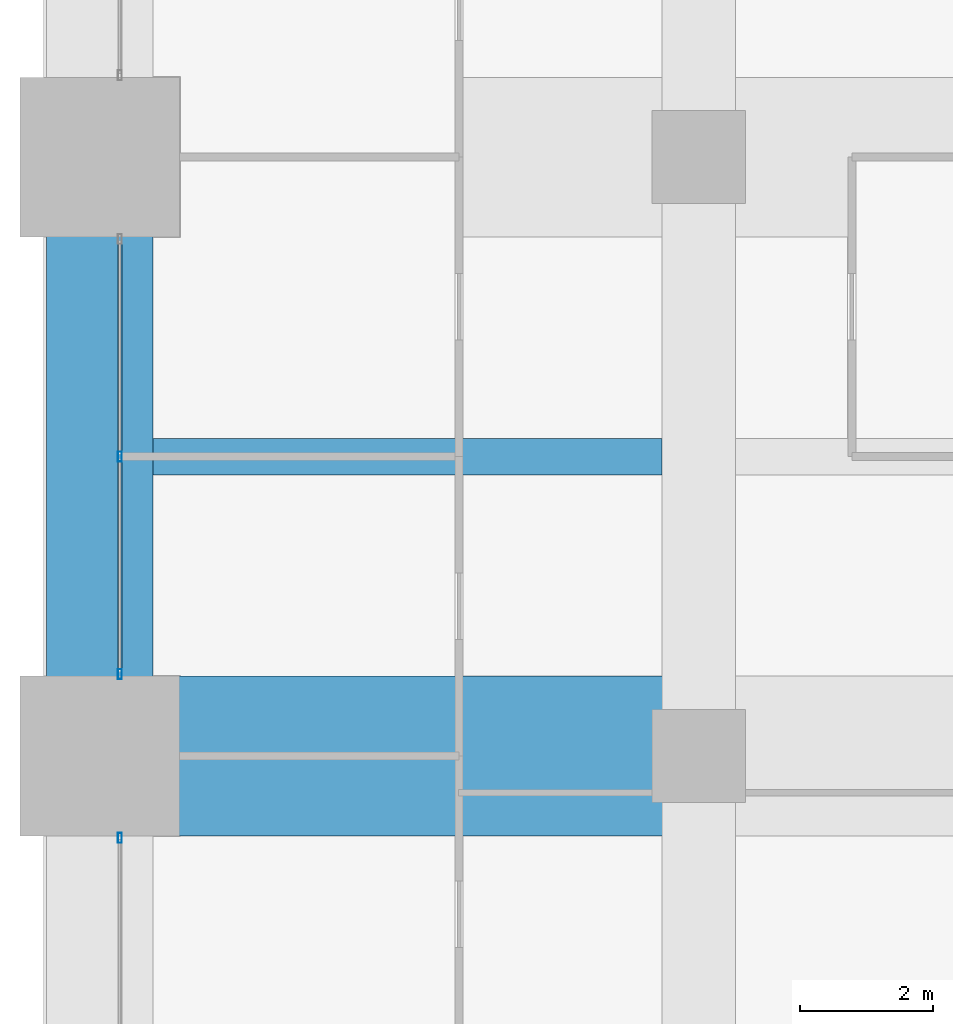
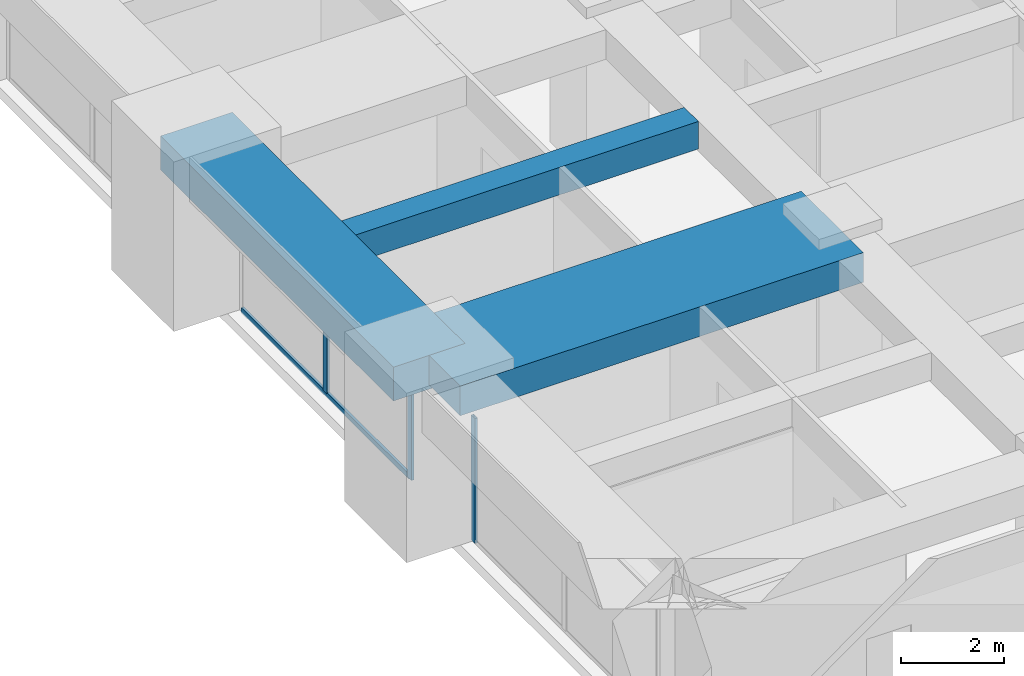
# One storey, part 9 of 35: 4 members, 3 beams, 2 elements without a shape of their own.
"""IFC4 building model written with IfcOpenShell, lengths in metres."""

from ifc_helpers import new_model, si_unit, direction, frame, origin, origin_2d, place, context, subcontext, project, spatial, rectangle, hollow_rectangle, extrude, material, material_profile, profile_set, type_object, element, aggregate, save


model = new_model("IFC4")

# Units and contexts
model_context = context("Model", 3, precision=1e-05, world=origin(), true_north=direction((0.0, 1.0)))
body_context = subcontext(model_context, "Body", "Model", "MODEL_VIEW")
ifc_project = project(units=[si_unit("LENGTHUNIT", "METRE"), si_unit("AREAUNIT", "SQUARE_METRE"), si_unit("VOLUMEUNIT", "CUBIC_METRE"), si_unit("PLANEANGLEUNIT", "RADIAN"), si_unit("MASSUNIT", "GRAM", prefix="KILO")], contexts=[model_context])

# Site, building, storey
site_placement = place(None, origin())
site = spatial("IfcSite", under=ifc_project, at=site_placement, CompositionType="ELEMENT")
building_placement = place(site_placement, origin())
building = spatial("IfcBuilding", under=site, at=building_placement, Name="Zorevar Civic Tower", CompositionType="ELEMENT")
storey_placement = place(building_placement, frame((0.0, 0.0, 218.199951171875)))
storey = spatial("IfcBuildingStorey", under=building, at=storey_placement, Name="L53", CompositionType="ELEMENT", Elevation=218.199951171875)

# Beams
ifc_material_1 = material(Name="Concrete C50/60", Category="concrete")
ifc_material_profile_1 = material_profile(ifc_material_1, rectangle(XDim=2.39990234375, YDim=0.699951171875, at=origin_2d()), Name="RC 2400x700")
ifc_profile_set_1 = profile_set([ifc_material_profile_1], Name="Concrete C50/60")
beam_type_1 = type_object("IfcBeamType", Name="Beam RC 2400x700", PredefinedType="BEAM", material=ifc_profile_set_1)
beam_1_placement = place(storey_placement, frame((0.0, 18.0, 3.400146484375), z_axis=(1.0, 0.0, 0.0), x_axis=(0.0, 1.0, 0.0)))
element("IfcBeam", 1, at=beam_1_placement, inside=storey, type_object=beam_type_1, Name="Girder L54", PredefinedType="BEAM", context=body_context, shape_type="SweptSolid", body=[
    extrude(rectangle(XDim=2.39990234375, YDim=0.699951171875, at=origin_2d()), origin(), (0.0, 0.0, 1.0), 9.0),
])
ifc_material_2 = material(Name="Concrete C50/60", Category="concrete")
ifc_material_profile_2 = material_profile(ifc_material_2, rectangle(XDim=0.550048828125, YDim=0.64990234375, at=origin_2d()), Name="RC 550x650")
ifc_profile_set_2 = profile_set([ifc_material_profile_2], Name="Concrete C50/60")
beam_type_2 = type_object("IfcBeamType", Name="Beam RC 550x650", PredefinedType="BEAM", material=ifc_profile_set_2)
beam_2_placement = place(storey_placement, frame((0.800048828125, 22.5, 3.425048828125), z_axis=(1.0, 0.0, 0.0), x_axis=(0.0, 1.0, 0.0)))
element("IfcBeam", 2, at=beam_2_placement, inside=storey, type_object=beam_type_2, Name="Secondary beam L54", PredefinedType="BEAM", context=body_context, shape_type="SweptSolid", body=[
    extrude(rectangle(XDim=0.550048828125, YDim=0.64990234375, at=origin_2d()), origin(), (0.0, 0.0, 1.0), 7.64990234375),
])

# Curtain wall, member
ifc_material_3 = material(Name="Dark grey solar-control glass in black aluminium frame", Category="aluminium")
curtain_wall_type = type_object("IfcCurtainWallType", Name="Curtain wall CW4 high zone", PredefinedType="NOTDEFINED", material=ifc_material_3)
curtain_wall_1_placement = place(storey_placement, origin())
curtain_wall_1 = element("IfcCurtainWall", 3, at=curtain_wall_1_placement, inside=storey, type_object=curtain_wall_type, Name="CW4 L53", PredefinedType="NOTDEFINED")
ifc_material_4 = material(Name="Aluminium, black anodised", Category="aluminium")
ifc_material_profile_3 = material_profile(ifc_material_4, hollow_rectangle(XDim=0.06005859375, YDim=0.14990234375, WallThickness=0.00390625, at=origin_2d()), Name="AL 150x60x4")
ifc_profile_set_3 = profile_set([ifc_material_profile_3], Name="Aluminium, black anodised")
member_type_1 = type_object("IfcMemberType", Name="CW4 mullion AL 150x60x4", PredefinedType="MULLION", material=ifc_profile_set_3)
member_1_placement = place(storey_placement, frame((0.300048828125, 16.77001953125, 0.0), z_axis=(0.0, 0.0, 1.0), x_axis=(-1.0, 0.0, 0.0)))
member_1 = element("IfcMember", 4, at=member_1_placement, type_object=member_type_1, Name="CW4 mullion 3", PredefinedType="MULLION", context=body_context, shape_type="SweptSolid", body=[
    extrude(hollow_rectangle(XDim=0.06005859375, YDim=0.14990234375, WallThickness=0.00390625, at=origin_2d()), origin(), (0.0, 0.0, 1.0), 2.949951171875),
])
aggregate(curtain_wall_1, [member_1])

# Curtain wall, members
curtain_wall_2_placement = place(storey_placement, origin())
curtain_wall_2 = element("IfcCurtainWall", 5, at=curtain_wall_2_placement, inside=storey, type_object=curtain_wall_type, Name="CW4 L53", PredefinedType="NOTDEFINED")
member_2_placement = place(storey_placement, frame((0.300048828125, 19.22998046875, 0.0), z_axis=(0.0, 0.0, 1.0), x_axis=(-1.0, 0.0, 0.0)))
member_2 = element("IfcMember", 6, at=member_2_placement, type_object=member_type_1, Name="CW4 mullion 1", PredefinedType="MULLION", context=body_context, shape_type="SweptSolid", body=[
    extrude(hollow_rectangle(XDim=0.06005859375, YDim=0.14990234375, WallThickness=0.00390625, at=origin_2d()), origin(), (0.0, 0.0, 1.0), 2.949951171875),
])
member_3_placement = place(storey_placement, frame((0.300048828125, 22.5, 0.06005859375), z_axis=(0.0, 0.0, 1.0), x_axis=(-1.0, 0.0, 0.0)))
member_3 = element("IfcMember", 7, at=member_3_placement, type_object=member_type_1, Name="CW4 mullion 2", PredefinedType="MULLION", context=body_context, shape_type="SweptSolid", body=[
    extrude(hollow_rectangle(XDim=0.06005859375, YDim=0.14990234375, WallThickness=0.00390625, at=origin_2d()), origin(), (0.0, 0.0, 1.0), 2.889892578125),
])
ifc_material_5 = material(Name="Aluminium, black anodised", Category="aluminium")
ifc_material_profile_4 = material_profile(ifc_material_5, hollow_rectangle(XDim=0.06005859375, YDim=0.1201171875, WallThickness=0.0029296875, at=origin_2d()), Name="AL 120x60x3")
ifc_profile_set_4 = profile_set([ifc_material_profile_4], Name="Aluminium, black anodised")
member_type_2 = type_object("IfcMemberType", Name="CW4 transom AL 120x60x3", PredefinedType="USERDEFINED", material=ifc_profile_set_4)
member_4_placement = place(storey_placement, frame((0.300048828125, 19.260009765625, 0.030029296875), z_axis=(0.0, 1.0, 0.0), x_axis=(-1.0, 0.0, 0.0)))
member_4 = element("IfcMember", 8, at=member_4_placement, type_object=member_type_2, Name="CW4 sill transom", ObjectType="TRANSOM", PredefinedType="USERDEFINED", context=body_context, shape_type="SweptSolid", body=[
    extrude(hollow_rectangle(XDim=0.06005859375, YDim=0.1201171875, WallThickness=0.0029296875, at=origin_2d()), origin(), (0.0, 0.0, 1.0), 6.47998046875),
])
aggregate(curtain_wall_2, [member_2, member_3, member_4])

# Beam
ifc_material_6 = material(Name="Concrete C50/60", Category="concrete")
ifc_material_profile_5 = material_profile(ifc_material_6, rectangle(XDim=1.60009765625, YDim=0.800048828125, at=origin_2d()), Name="RC 1600x800")
ifc_profile_set_5 = profile_set([ifc_material_profile_5], Name="Concrete C50/60")
beam_type_3 = type_object("IfcBeamType", Name="Edge beam RC 1600x800", PredefinedType="SPANDREL", material=ifc_profile_set_5)
beam_3_placement = place(storey_placement, frame((0.0, 18.0, 3.35009765625), z_axis=(0.0, 1.0, 0.0), x_axis=(-1.0, 0.0, 0.0)))
element("IfcBeam", 9, at=beam_3_placement, inside=storey, type_object=beam_type_3, Name="Edge beam L54", PredefinedType="SPANDREL", context=body_context, shape_type="SweptSolid", body=[
    extrude(rectangle(XDim=1.60009765625, YDim=0.800048828125, at=origin_2d()), origin(), (0.0, 0.0, 1.0), 9.0),
])

save(model, "model.ifc")
